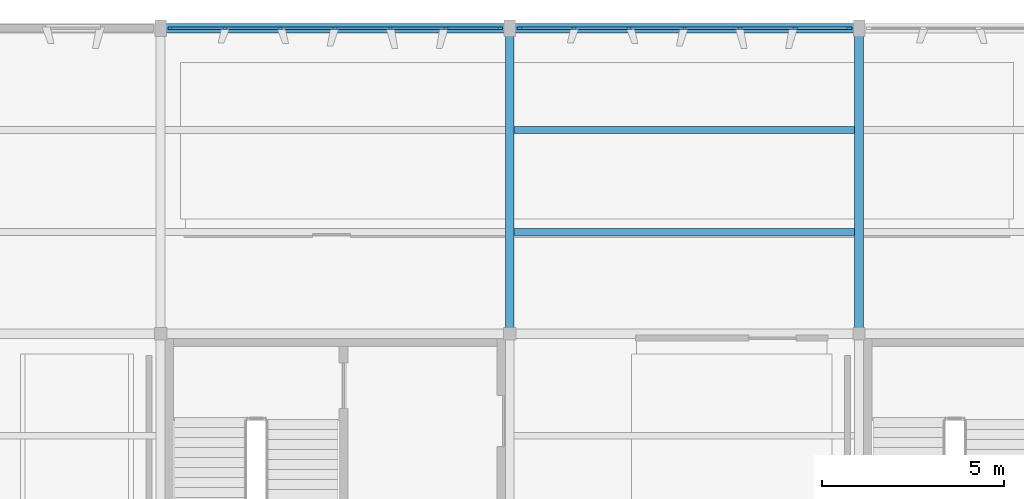
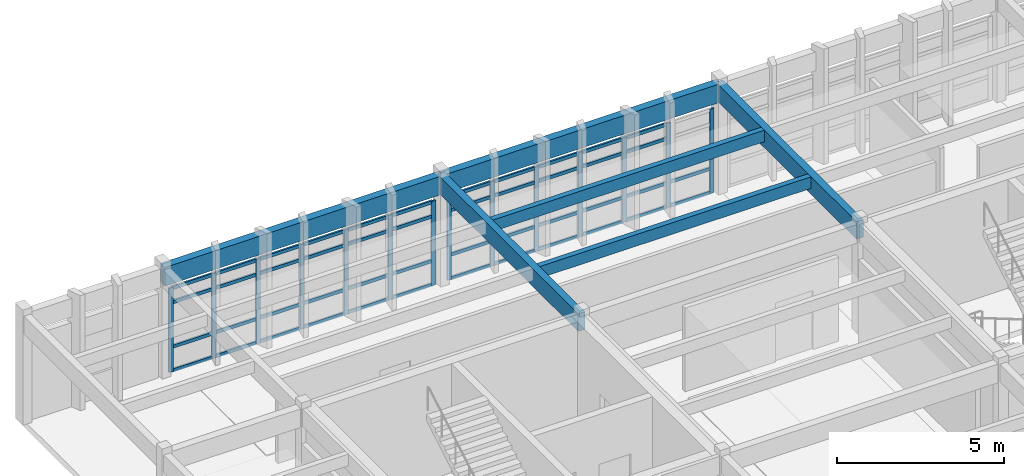
# One storey, part 3 of 14: 60 members, 6 beams, 2 elements without a shape of their own.
"""IFC4 building model written with IfcOpenShell, lengths in metres."""

import ifcopenshell
import ifcopenshell.guid

model = None  # the IFC model being written
_history = None  # IfcOwnerHistory: only IFC2X3 demands one
_inside = {}  # id of a spatial element -> (the spatial element, [elements in it])
_under = {}  # id of a project, library or spatial element -> (it, [spatial elements below it])
_declared = {}  # id of a project -> (the project, [libraries it declares])
_typed = {}  # id of a type object -> (the type object, [elements of that type])
_made_of = {}  # id of a material, layer set ... -> (it, [elements and type objects made of it])


def new_model(schema):
    """Start an empty IFC model of exactly this schema.

    Asked for "IFC4X3", IfcOpenShell would pick the latest addendum, in which some entities
    have other attributes; the version numbers below select the first issue.
    IFC2X3 requires an IfcOwnerHistory on every rooted entity: one is made here for all.
    """
    global model, _history
    if schema == "IFC4X3":
        model = ifcopenshell.file(schema_version=(4, 3, 0, 0))
    else:
        model = ifcopenshell.file(schema=schema)
    _inside.clear()
    _under.clear()
    _declared.clear()
    _typed.clear()
    _made_of.clear()
    _history = None
    if model.schema == "IFC2X3":
        org = make("IfcOrganization", Name="unknown")
        user = make(
            "IfcPersonAndOrganization",
            ThePerson=make("IfcPerson", FamilyName="unknown"),
            TheOrganization=org,
        )
        app = make(
            "IfcApplication",
            ApplicationDeveloper=org,
            Version="unknown",
            ApplicationFullName="unknown",
            ApplicationIdentifier="unknown",
        )
        _history = make(
            "IfcOwnerHistory",
            OwningUser=user,
            OwningApplication=app,
            ChangeAction="ADDED",
            CreationDate=0,
        )
    return model


def make(cls, **values):
    """One entity of the class cls with the attributes given. An attribute that is None is left unset."""
    return model.create_entity(
        cls, **{name: value for name, value in values.items() if value is not None}
    )


def rooted(cls, **values):
    """An entity with a GlobalId (a new one), such as an element, a storey or a relation."""
    return make(cls, GlobalId=ifcopenshell.guid.new(), OwnerHistory=_history, **values)


def si_unit(unit_type, name, prefix=None):
    """IfcSIUnit, for example si_unit("LENGTHUNIT", "METRE", prefix="MILLI")."""
    return make("IfcSIUnit", UnitType=unit_type, Prefix=prefix, Name=name)


def assignment(units):
    """IfcUnitAssignment: the units of a project."""
    return None if units is None else make("IfcUnitAssignment", Units=units)


def point(xyz):
    """IfcCartesianPoint."""
    return None if xyz is None else make("IfcCartesianPoint", Coordinates=xyz)


def direction(xyz):
    """IfcDirection."""
    return None if xyz is None else make("IfcDirection", DirectionRatios=xyz)


def frame(location, z_axis=None, x_axis=None):
    """IfcAxis2Placement3D, a coordinate frame: its origin and axes. An axis left out is left unset."""
    return make(
        "IfcAxis2Placement3D",
        Location=point(location),
        Axis=direction(z_axis),
        RefDirection=direction(x_axis),
    )


def frame_2d(location, x_axis=None):
    """IfcAxis2Placement2D, a coordinate frame in the plane: its origin and x axis."""
    return make(
        "IfcAxis2Placement2D", Location=point(location), RefDirection=direction(x_axis)
    )


def origin():
    """The frame at (0, 0, 0) with its axes left unset."""
    return frame((0.0, 0.0, 0.0))


def origin_2d():
    """The frame at (0, 0) in the plane with its x axis left unset."""
    return frame_2d((0.0, 0.0))


def place(relative_to, where):
    """IfcLocalPlacement: puts the frame where relative to a parent placement (None: the world)."""
    return make(
        "IfcLocalPlacement", PlacementRelTo=relative_to, RelativePlacement=where
    )


def context(
    kind, dimensions, precision=None, world=None, true_north=None, identifier=None
):
    """IfcGeometricRepresentationContext, for example the 3D "Model" context."""
    return make(
        "IfcGeometricRepresentationContext",
        ContextIdentifier=identifier,
        ContextType=kind,
        CoordinateSpaceDimension=dimensions,
        Precision=precision,
        WorldCoordinateSystem=world,
        TrueNorth=true_north,
    )


def subcontext(parent, identifier, kind, view, scale=None):
    """IfcGeometricRepresentationSubContext, for example "Body" below "Model"."""
    return make(
        "IfcGeometricRepresentationSubContext",
        ContextIdentifier=identifier,
        ContextType=kind,
        ParentContext=parent,
        TargetScale=scale,
        TargetView=view,
    )


def project(units=None, contexts=None):
    """IfcProject with its units and contexts."""
    return rooted(
        "IfcProject",
        Name="project",
        RepresentationContexts=contexts,
        UnitsInContext=assignment(units),
    )


def spatial(cls, under=None, at=None, **own):
    """A site, building, storey or space (cls), placed at a placement, below another one or the project."""
    s = rooted(cls, ObjectPlacement=at, **own)
    if under is not None:
        _under.setdefault(under.id(), (under, []))[1].append(s)
    return s


def profile(cls, at=None, kind="AREA", **sizes):
    """A parametric profile (cls). Its sizes go by their IFC names, for example OverallWidth=200.0."""
    return make(cls, ProfileType=kind, Position=at, **sizes)


def rectangle(**sizes):
    """IfcRectangleProfileDef."""
    return profile("IfcRectangleProfileDef", **sizes)


def extrude(swept, where, along, depth):
    """IfcExtrudedAreaSolid: the profile swept, set in the frame where, extruded along a direction by depth."""
    return make(
        "IfcExtrudedAreaSolid",
        SweptArea=swept,
        Position=where,
        ExtrudedDirection=direction(along),
        Depth=depth,
    )


def shape(context_of_items, identifier, shape_type, items):
    """IfcShapeRepresentation: the items that make up one representation, for example the "Body"."""
    return make(
        "IfcShapeRepresentation",
        ContextOfItems=context_of_items,
        RepresentationIdentifier=identifier,
        RepresentationType=shape_type,
        Items=items,
    )


def material(Name=None, Category=None):
    """IfcMaterial."""
    return make("IfcMaterial", Name=Name, Category=Category)


def layer(
    of_material, thickness, ventilated=None, Name=None, Category=None, Priority=None
):
    """IfcMaterialLayer: one layer of a wall or slab, of a material (None: an air gap)."""
    return make(
        "IfcMaterialLayer",
        Material=of_material,
        LayerThickness=thickness,
        IsVentilated=ventilated,
        Name=Name,
        Category=Category,
        Priority=Priority,
    )


def layer_set(layers, Name=None):
    """IfcMaterialLayerSet."""
    return make("IfcMaterialLayerSet", MaterialLayers=layers, LayerSetName=Name)


def material_profile(
    of_material, cross_section, Name=None, Category=None, Priority=None
):
    """IfcMaterialProfile: a cross section and its material."""
    return make(
        "IfcMaterialProfile",
        Name=Name,
        Material=of_material,
        Profile=cross_section,
        Priority=Priority,
        Category=Category,
    )


def profile_set(profiles, Name=None, composite=None):
    """IfcMaterialProfileSet."""
    return make(
        "IfcMaterialProfileSet",
        Name=Name,
        MaterialProfiles=profiles,
        CompositeProfile=composite,
    )


def made_of(thing, what):
    """Note that an element or type object is made of a material, layer set ...; save() writes the relation."""
    if what is not None:
        _made_of.setdefault(what.id(), (what, []))[1].append(thing)
    return thing


def type_object(cls, material=None, **own):
    """A type object (cls), such as IfcWallType, which elements share."""
    return made_of(rooted(cls, **own), material)


def element(
    cls,
    number,
    at=None,
    inside=None,
    cuts=None,
    type_object=None,
    material=None,
    context=None,
    identifier="Body",
    shape_type=None,
    held_by="IfcProductDefinitionShape",
    body=None,
    shapes=None,
    **own,
):
    """One element of the class cls, such as IfcWall. Its Tag is "e" and its number.

    at: its placement. inside: the storey or other place that contains it. cuts: it is an
    opening in that element (IfcRelVoidsElement). A single representation is given by context,
    identifier, shape_type and body (its items); several are given by shapes. held_by: the class
    of the entity that holds the representations. save() writes the other relations.
    """
    e = rooted(cls, Tag="e%d" % number, ObjectPlacement=at, **own)
    if body is not None:
        shapes = [shape(context, identifier, shape_type, body)]
    if shapes is not None:
        e.Representation = make(held_by, Representations=shapes)
    if inside is not None:
        _inside.setdefault(inside.id(), (inside, []))[1].append(e)
    if cuts is not None:
        rooted(
            "IfcRelVoidsElement", RelatingBuildingElement=cuts, RelatedOpeningElement=e
        )
    if type_object is not None:
        _typed.setdefault(type_object.id(), (type_object, []))[1].append(e)
    return made_of(e, material)


def aggregate(whole, parts):
    """IfcRelAggregates: a whole, such as a stair, and the parts it consists of."""
    return rooted("IfcRelAggregates", RelatingObject=whole, RelatedObjects=parts)


def save(model, path):
    """Write the relations noted so far, then the file.

    IfcRelAggregates (storeys below a building ...), IfcRelContainedInSpatialStructure (elements
    in a storey), IfcRelDefinesByType, IfcRelAssociatesMaterial and IfcRelDeclares: one each for
    every whole, place, type object, material and project.
    """
    for whole, parts in _under.values():
        aggregate(whole, parts)
    for where, things in _inside.values():
        rooted(
            "IfcRelContainedInSpatialStructure",
            RelatedElements=things,
            RelatingStructure=where,
        )
    for kind, things in _typed.values():
        rooted("IfcRelDefinesByType", RelatedObjects=things, RelatingType=kind)
    for what, things in _made_of.values():
        rooted("IfcRelAssociatesMaterial", RelatedObjects=things, RelatingMaterial=what)
    for by, libraries in _declared.values():
        rooted("IfcRelDeclares", RelatingContext=by, RelatedDefinitions=libraries)
    model.write(path)


model = new_model("IFC4")

# Units and contexts
model_context = context("Model", 3, precision=1e-05, world=origin(), true_north=direction((0.0, 1.0)))
body_context = subcontext(model_context, "Body", "Model", "MODEL_VIEW")
ifc_project = project(units=[si_unit("LENGTHUNIT", "METRE"), si_unit("AREAUNIT", "SQUARE_METRE"), si_unit("VOLUMEUNIT", "CUBIC_METRE"), si_unit("PLANEANGLEUNIT", "RADIAN"), si_unit("MASSUNIT", "GRAM", prefix="KILO")], contexts=[model_context])

# Site, building, storey
site_placement = place(None, origin())
site = spatial("IfcSite", under=ifc_project, at=site_placement, CompositionType="ELEMENT")
building_placement = place(site_placement, origin())
building = spatial("IfcBuilding", under=site, at=building_placement, Name="Kolvemor Railside Polytechnic", CompositionType="ELEMENT")
storey_placement = place(building_placement, frame((0.0, 0.0, 22.800048828125)))
storey = spatial("IfcBuildingStorey", under=building, at=storey_placement, Name="L05", CompositionType="ELEMENT", Elevation=22.800048828125)

# Beams
ifc_material_1 = material(Name="Glulam GL28h", Category="wood")
ifc_material_profile_1 = material_profile(ifc_material_1, rectangle(XDim=0.264892578125, YDim=0.679931640625, at=origin_2d()), Name="GL265x680")
ifc_profile_set_1 = profile_set([ifc_material_profile_1], Name="Glulam GL28h")
beam_type_1 = type_object("IfcBeamType", Name="BM-GL-GIRD2", PredefinedType="BEAM", material=ifc_profile_set_1)
beam_1_placement = place(storey_placement, frame((67.199951171875, 38.39990234375, 3.6298828125), z_axis=(1.0, 0.0, 0.0), x_axis=(0.0, 1.0, 0.0)))
element("IfcBeam", 1, at=beam_1_placement, inside=storey, type_object=beam_type_1, Name="Primary Girder L06-GX 1653", PredefinedType="BEAM", context=body_context, shape_type="SweptSolid", body=[
    extrude(rectangle(XDim=0.264892578125, YDim=0.679931640625, at=origin_2d()), origin(), (0.0, 0.0, 1.0), 9.60009765625),
])
beam_2_placement = place(storey_placement, frame((76.800048828125, 38.39990234375, 3.6298828125), z_axis=(1.0, 0.0, 0.0), x_axis=(0.0, 1.0, 0.0)))
element("IfcBeam", 2, at=beam_2_placement, inside=storey, type_object=beam_type_1, Name="Primary Girder L06-GX 1654", PredefinedType="BEAM", context=body_context, shape_type="SweptSolid", body=[
    extrude(rectangle(XDim=0.264892578125, YDim=0.679931640625, at=origin_2d()), origin(), (0.0, 0.0, 1.0), 9.599853515625),
])
ifc_material_2 = material(Name="Glulam GL28h", Category="wood")
ifc_material_profile_2 = material_profile(ifc_material_2, rectangle(XDim=0.239990234375, YDim=0.639892578125, at=origin_2d()), Name="GL240x640")
ifc_profile_set_2 = profile_set([ifc_material_profile_2], Name="Glulam GL28h")
beam_type_2 = type_object("IfcBeamType", Name="BM-GL-GIRD5", PredefinedType="BEAM", material=ifc_profile_set_2)
for number, where, z_axis, x_axis, name in (
    (3, (76.800048828125, 30.0, 3.64990234375), (0.0, 1.0, 0.0), (-1.0, 0.0, 0.0), "Primary Girder L06-GY 1667"),
    (4, (86.39990234375, 30.0, 3.64990234375), (0.0, 1.0, 0.0), (-1.0, 0.0, 0.0), "Primary Girder L06-GY 1670"),
):
    element("IfcBeam", number, at=place(storey_placement, frame(where, z_axis=z_axis, x_axis=x_axis)), inside=storey, type_object=beam_type_2, Name=name, PredefinedType="BEAM", context=body_context, shape_type="SweptSolid", body=[
        extrude(rectangle(XDim=0.239990234375, YDim=0.639892578125, at=origin_2d()), origin(), (0.0, 0.0, 1.0), 8.39990234375),
    ])
ifc_material_3 = material(Name="Glulam GL28h", Category="wood")
ifc_material_profile_3 = material_profile(ifc_material_3, rectangle(XDim=0.18505859375, YDim=0.419921875, at=origin_2d()), Name="GL185x420")
ifc_profile_set_3 = profile_set([ifc_material_profile_3], Name="Glulam GL28h")
beam_type_3 = type_object("IfcBeamType", Name="BM-GL-JST4", PredefinedType="JOIST", material=ifc_profile_set_3)
for number, where, z_axis, x_axis, name in (
    (5, (76.919921875, 32.800048828125, 3.760009765625), (1.0, 0.0, 0.0), (0.0, 1.0, 0.0), "Floor Joist L06-J1697"),
    (6, (76.919921875, 35.60009765625, 3.760009765625), (1.0, 0.0, 0.0), (0.0, 1.0, 0.0), "Floor Joist L06-J1698"),
):
    element("IfcBeam", number, at=place(storey_placement, frame(where, z_axis=z_axis, x_axis=x_axis)), inside=storey, type_object=beam_type_3, Name=name, PredefinedType="JOIST", context=body_context, shape_type="SweptSolid", body=[
        extrude(rectangle(XDim=0.18505859375, YDim=0.419921875, at=origin_2d()), origin(), (0.0, 0.0, 1.0), 9.360107421875),
    ])

# Curtain wall, members
ifc_material_4 = material(Name="Anodised marine aluminium and laminated low-E glass", Category="aluminium")
ifc_layer = layer(ifc_material_4, 0.179931640625, Name="CW-UNIT-STD")
ifc_layer_set = layer_set([ifc_layer], Name="Anodised marine aluminium and laminated low-E glass")
curtain_wall_type = type_object("IfcCurtainWallType", Name="CW-UNIT-STD", PredefinedType="USERDEFINED", material=ifc_layer_set)
curtain_wall_1_placement = place(storey_placement, origin())
curtain_wall_1 = element("IfcCurtainWall", 7, at=curtain_wall_1_placement, inside=storey, type_object=curtain_wall_type, Name="Curtain Wall L05-136", ObjectType="UNITISED CURTAIN WALL", PredefinedType="USERDEFINED")
ifc_material_5 = material(Name="Anodised marine aluminium 6063-T6", Category="aluminium")
ifc_material_profile_4 = material_profile(ifc_material_5, rectangle(XDim=0.06494140625, YDim=0.14990234375, at=origin_2d()), Name="CW-MUL-65x150")
ifc_profile_set_4 = profile_set([ifc_material_profile_4], Name="Anodised marine aluminium 6063-T6")
member_type_1 = type_object("IfcMemberType", Name="CWM-65x150", PredefinedType="MULLION", material=ifc_profile_set_4)
member_1_placement = place(storey_placement, frame((76.527587890625, 38.39990234375, 0.0), z_axis=(0.0, 0.0, 1.0), x_axis=(0.0, -1.0, 0.0)))
member_1 = element("IfcMember", 8, at=member_1_placement, type_object=member_type_1, Name="CW-STD mullion 1", PredefinedType="MULLION", context=body_context, shape_type="SweptSolid", body=[
    extrude(rectangle(XDim=0.06494140625, YDim=0.14990234375, at=origin_2d()), origin(), (0.0, 0.0, 1.0), 3.070068359375),
])
member_2_placement = place(storey_placement, frame((75.0400390625, 38.39990234375, 0.0), z_axis=(0.0, 0.0, 1.0), x_axis=(0.0, -1.0, 0.0)))
member_2 = element("IfcMember", 9, at=member_2_placement, type_object=member_type_1, Name="CW-STD mullion 2", PredefinedType="MULLION", context=body_context, shape_type="SweptSolid", body=[
    extrude(rectangle(XDim=0.06494140625, YDim=0.14990234375, at=origin_2d()), origin(), (0.0, 0.0, 1.0), 3.070068359375),
])
member_3_placement = place(storey_placement, frame((73.52001953125, 38.39990234375, 0.0), z_axis=(0.0, 0.0, 1.0), x_axis=(0.0, -1.0, 0.0)))
member_3 = element("IfcMember", 10, at=member_3_placement, type_object=member_type_1, Name="CW-STD mullion 3", PredefinedType="MULLION", context=body_context, shape_type="SweptSolid", body=[
    extrude(rectangle(XDim=0.06494140625, YDim=0.14990234375, at=origin_2d()), origin(), (0.0, 0.0, 1.0), 3.070068359375),
])
member_4_placement = place(storey_placement, frame((72.0, 38.39990234375, 0.0), z_axis=(0.0, 0.0, 1.0), x_axis=(0.0, -1.0, 0.0)))
member_4 = element("IfcMember", 11, at=member_4_placement, type_object=member_type_1, Name="CW-STD mullion 4", PredefinedType="MULLION", context=body_context, shape_type="SweptSolid", body=[
    extrude(rectangle(XDim=0.06494140625, YDim=0.14990234375, at=origin_2d()), origin(), (0.0, 0.0, 1.0), 3.070068359375),
])
member_5_placement = place(storey_placement, frame((70.47998046875, 38.39990234375, 0.0), z_axis=(0.0, 0.0, 1.0), x_axis=(0.0, -1.0, 0.0)))
member_5 = element("IfcMember", 12, at=member_5_placement, type_object=member_type_1, Name="CW-STD mullion 5", PredefinedType="MULLION", context=body_context, shape_type="SweptSolid", body=[
    extrude(rectangle(XDim=0.06494140625, YDim=0.14990234375, at=origin_2d()), origin(), (0.0, 0.0, 1.0), 3.070068359375),
])
member_6_placement = place(storey_placement, frame((68.9599609375, 38.39990234375, 0.0), z_axis=(0.0, 0.0, 1.0), x_axis=(0.0, -1.0, 0.0)))
member_6 = element("IfcMember", 13, at=member_6_placement, type_object=member_type_1, Name="CW-STD mullion 6", PredefinedType="MULLION", context=body_context, shape_type="SweptSolid", body=[
    extrude(rectangle(XDim=0.06494140625, YDim=0.14990234375, at=origin_2d()), origin(), (0.0, 0.0, 1.0), 3.070068359375),
])
member_7_placement = place(storey_placement, frame((67.472412109375, 38.39990234375, 0.0), z_axis=(0.0, 0.0, 1.0), x_axis=(0.0, -1.0, 0.0)))
member_7 = element("IfcMember", 14, at=member_7_placement, type_object=member_type_1, Name="CW-STD mullion 7", PredefinedType="MULLION", context=body_context, shape_type="SweptSolid", body=[
    extrude(rectangle(XDim=0.06494140625, YDim=0.14990234375, at=origin_2d()), origin(), (0.0, 0.0, 1.0), 3.070068359375),
])

curtain_wall_2_placement = place(storey_placement, origin())
curtain_wall_2 = element("IfcCurtainWall", 15, at=curtain_wall_2_placement, inside=storey, type_object=curtain_wall_type, Name="Curtain Wall L05-137", ObjectType="UNITISED CURTAIN WALL", PredefinedType="USERDEFINED")
member_8_placement = place(storey_placement, frame((86.12744140625, 38.39990234375, 0.0), z_axis=(0.0, 0.0, 1.0), x_axis=(0.0, -1.0, 0.0)))
member_8 = element("IfcMember", 16, at=member_8_placement, type_object=member_type_1, Name="CW-STD mullion 1", PredefinedType="MULLION", context=body_context, shape_type="SweptSolid", body=[
    extrude(rectangle(XDim=0.06494140625, YDim=0.14990234375, at=origin_2d()), origin(), (0.0, 0.0, 1.0), 3.070068359375),
])
member_9_placement = place(storey_placement, frame((84.639892578125, 38.39990234375, 0.0), z_axis=(0.0, 0.0, 1.0), x_axis=(0.0, -1.0, 0.0)))
member_9 = element("IfcMember", 17, at=member_9_placement, type_object=member_type_1, Name="CW-STD mullion 2", PredefinedType="MULLION", context=body_context, shape_type="SweptSolid", body=[
    extrude(rectangle(XDim=0.06494140625, YDim=0.14990234375, at=origin_2d()), origin(), (0.0, 0.0, 1.0), 3.070068359375),
])
member_10_placement = place(storey_placement, frame((83.1201171875, 38.39990234375, 0.0), z_axis=(0.0, 0.0, 1.0), x_axis=(0.0, -1.0, 0.0)))
member_10 = element("IfcMember", 18, at=member_10_placement, type_object=member_type_1, Name="CW-STD mullion 3", PredefinedType="MULLION", context=body_context, shape_type="SweptSolid", body=[
    extrude(rectangle(XDim=0.06494140625, YDim=0.14990234375, at=origin_2d()), origin(), (0.0, 0.0, 1.0), 3.070068359375),
])
member_11_placement = place(storey_placement, frame((81.60009765625, 38.39990234375, 0.0), z_axis=(0.0, 0.0, 1.0), x_axis=(0.0, -1.0, 0.0)))
member_11 = element("IfcMember", 19, at=member_11_placement, type_object=member_type_1, Name="CW-STD mullion 4", PredefinedType="MULLION", context=body_context, shape_type="SweptSolid", body=[
    extrude(rectangle(XDim=0.06494140625, YDim=0.14990234375, at=origin_2d()), origin(), (0.0, 0.0, 1.0), 3.070068359375),
])
member_12_placement = place(storey_placement, frame((80.080078125, 38.39990234375, 0.0), z_axis=(0.0, 0.0, 1.0), x_axis=(0.0, -1.0, 0.0)))
member_12 = element("IfcMember", 20, at=member_12_placement, type_object=member_type_1, Name="CW-STD mullion 5", PredefinedType="MULLION", context=body_context, shape_type="SweptSolid", body=[
    extrude(rectangle(XDim=0.06494140625, YDim=0.14990234375, at=origin_2d()), origin(), (0.0, 0.0, 1.0), 3.070068359375),
])
member_13_placement = place(storey_placement, frame((78.56005859375, 38.39990234375, 0.0), z_axis=(0.0, 0.0, 1.0), x_axis=(0.0, -1.0, 0.0)))
member_13 = element("IfcMember", 21, at=member_13_placement, type_object=member_type_1, Name="CW-STD mullion 6", PredefinedType="MULLION", context=body_context, shape_type="SweptSolid", body=[
    extrude(rectangle(XDim=0.06494140625, YDim=0.14990234375, at=origin_2d()), origin(), (0.0, 0.0, 1.0), 3.070068359375),
])
member_14_placement = place(storey_placement, frame((77.072509765625, 38.39990234375, 0.0), z_axis=(0.0, 0.0, 1.0), x_axis=(0.0, -1.0, 0.0)))
member_14 = element("IfcMember", 22, at=member_14_placement, type_object=member_type_1, Name="CW-STD mullion 7", PredefinedType="MULLION", context=body_context, shape_type="SweptSolid", body=[
    extrude(rectangle(XDim=0.06494140625, YDim=0.14990234375, at=origin_2d()), origin(), (0.0, 0.0, 1.0), 3.070068359375),
])

# Member
ifc_material_6 = material(Name="Anodised marine aluminium 6063-T6", Category="aluminium")
ifc_material_profile_5 = material_profile(ifc_material_6, rectangle(XDim=0.06494140625, YDim=0.1201171875, at=origin_2d()), Name="CW-TRN-65x120")
ifc_profile_set_5 = profile_set([ifc_material_profile_5], Name="Anodised marine aluminium 6063-T6")
member_type_2 = type_object("IfcMemberType", Name="CWT-65x120", PredefinedType="USERDEFINED", material=ifc_profile_set_5)
member_15_placement = place(storey_placement, frame((76.4951171875, 38.39990234375, 0.032470703125), z_axis=(-1.0, 0.0, 0.0), x_axis=(0.0, -1.0, 0.0)))
member_15 = element("IfcMember", 23, at=member_15_placement, type_object=member_type_2, Name="CW-STD transom 1.1", ObjectType="TRANSOM", PredefinedType="USERDEFINED", context=body_context, shape_type="SweptSolid", body=[
    extrude(rectangle(XDim=0.06494140625, YDim=0.1201171875, at=origin_2d()), origin(), (0.0, 0.0, 1.0), 1.422607421875),
])

member_16_placement = place(storey_placement, frame((76.4951171875, 38.39990234375, 0.89990234375), z_axis=(-1.0, 0.0, 0.0), x_axis=(0.0, -1.0, 0.0)))
member_16 = element("IfcMember", 24, at=member_16_placement, type_object=member_type_2, Name="CW-STD transom 1.2", ObjectType="TRANSOM", PredefinedType="USERDEFINED", context=body_context, shape_type="SweptSolid", body=[
    extrude(rectangle(XDim=0.06494140625, YDim=0.1201171875, at=origin_2d()), origin(), (0.0, 0.0, 1.0), 1.422607421875),
])

member_17_placement = place(storey_placement, frame((76.4951171875, 38.39990234375, 2.52001953125), z_axis=(-1.0, 0.0, 0.0), x_axis=(0.0, -1.0, 0.0)))
member_17 = element("IfcMember", 25, at=member_17_placement, type_object=member_type_2, Name="CW-STD transom 1.3", ObjectType="TRANSOM", PredefinedType="USERDEFINED", context=body_context, shape_type="SweptSolid", body=[
    extrude(rectangle(XDim=0.06494140625, YDim=0.1201171875, at=origin_2d()), origin(), (0.0, 0.0, 1.0), 1.422607421875),
])

member_18_placement = place(storey_placement, frame((76.4951171875, 38.39990234375, 3.037353515625), z_axis=(-1.0, 0.0, 0.0), x_axis=(0.0, -1.0, 0.0)))
member_18 = element("IfcMember", 26, at=member_18_placement, type_object=member_type_2, Name="CW-STD transom 1.4", ObjectType="TRANSOM", PredefinedType="USERDEFINED", context=body_context, shape_type="SweptSolid", body=[
    extrude(rectangle(XDim=0.06494140625, YDim=0.1201171875, at=origin_2d()), origin(), (0.0, 0.0, 1.0), 1.422607421875),
])

member_19_placement = place(storey_placement, frame((75.007568359375, 38.39990234375, 0.032470703125), z_axis=(-1.0, 0.0, 0.0), x_axis=(0.0, -1.0, 0.0)))
member_19 = element("IfcMember", 27, at=member_19_placement, type_object=member_type_2, Name="CW-STD transom 2.1", ObjectType="TRANSOM", PredefinedType="USERDEFINED", context=body_context, shape_type="SweptSolid", body=[
    extrude(rectangle(XDim=0.06494140625, YDim=0.1201171875, at=origin_2d()), origin(), (0.0, 0.0, 1.0), 1.455078125),
])

member_20_placement = place(storey_placement, frame((75.007568359375, 38.39990234375, 0.89990234375), z_axis=(-1.0, 0.0, 0.0), x_axis=(0.0, -1.0, 0.0)))
member_20 = element("IfcMember", 28, at=member_20_placement, type_object=member_type_2, Name="CW-STD transom 2.2", ObjectType="TRANSOM", PredefinedType="USERDEFINED", context=body_context, shape_type="SweptSolid", body=[
    extrude(rectangle(XDim=0.06494140625, YDim=0.1201171875, at=origin_2d()), origin(), (0.0, 0.0, 1.0), 1.455078125),
])

member_21_placement = place(storey_placement, frame((75.007568359375, 38.39990234375, 2.52001953125), z_axis=(-1.0, 0.0, 0.0), x_axis=(0.0, -1.0, 0.0)))
member_21 = element("IfcMember", 29, at=member_21_placement, type_object=member_type_2, Name="CW-STD transom 2.3", ObjectType="TRANSOM", PredefinedType="USERDEFINED", context=body_context, shape_type="SweptSolid", body=[
    extrude(rectangle(XDim=0.06494140625, YDim=0.1201171875, at=origin_2d()), origin(), (0.0, 0.0, 1.0), 1.455078125),
])

member_22_placement = place(storey_placement, frame((75.007568359375, 38.39990234375, 3.037353515625), z_axis=(-1.0, 0.0, 0.0), x_axis=(0.0, -1.0, 0.0)))
member_22 = element("IfcMember", 30, at=member_22_placement, type_object=member_type_2, Name="CW-STD transom 2.4", ObjectType="TRANSOM", PredefinedType="USERDEFINED", context=body_context, shape_type="SweptSolid", body=[
    extrude(rectangle(XDim=0.06494140625, YDim=0.1201171875, at=origin_2d()), origin(), (0.0, 0.0, 1.0), 1.455078125),
])

member_23_placement = place(storey_placement, frame((73.487548828125, 38.39990234375, 0.032470703125), z_axis=(-1.0, 0.0, 0.0), x_axis=(0.0, -1.0, 0.0)))
member_23 = element("IfcMember", 31, at=member_23_placement, type_object=member_type_2, Name="CW-STD transom 3.1", ObjectType="TRANSOM", PredefinedType="USERDEFINED", context=body_context, shape_type="SweptSolid", body=[
    extrude(rectangle(XDim=0.06494140625, YDim=0.1201171875, at=origin_2d()), origin(), (0.0, 0.0, 1.0), 1.455078125),
])

member_24_placement = place(storey_placement, frame((73.487548828125, 38.39990234375, 0.89990234375), z_axis=(-1.0, 0.0, 0.0), x_axis=(0.0, -1.0, 0.0)))
member_24 = element("IfcMember", 32, at=member_24_placement, type_object=member_type_2, Name="CW-STD transom 3.2", ObjectType="TRANSOM", PredefinedType="USERDEFINED", context=body_context, shape_type="SweptSolid", body=[
    extrude(rectangle(XDim=0.06494140625, YDim=0.1201171875, at=origin_2d()), origin(), (0.0, 0.0, 1.0), 1.455078125),
])

member_25_placement = place(storey_placement, frame((73.487548828125, 38.39990234375, 2.52001953125), z_axis=(-1.0, 0.0, 0.0), x_axis=(0.0, -1.0, 0.0)))
member_25 = element("IfcMember", 33, at=member_25_placement, type_object=member_type_2, Name="CW-STD transom 3.3", ObjectType="TRANSOM", PredefinedType="USERDEFINED", context=body_context, shape_type="SweptSolid", body=[
    extrude(rectangle(XDim=0.06494140625, YDim=0.1201171875, at=origin_2d()), origin(), (0.0, 0.0, 1.0), 1.455078125),
])

member_26_placement = place(storey_placement, frame((73.487548828125, 38.39990234375, 3.037353515625), z_axis=(-1.0, 0.0, 0.0), x_axis=(0.0, -1.0, 0.0)))
member_26 = element("IfcMember", 34, at=member_26_placement, type_object=member_type_2, Name="CW-STD transom 3.4", ObjectType="TRANSOM", PredefinedType="USERDEFINED", context=body_context, shape_type="SweptSolid", body=[
    extrude(rectangle(XDim=0.06494140625, YDim=0.1201171875, at=origin_2d()), origin(), (0.0, 0.0, 1.0), 1.455078125),
])

member_27_placement = place(storey_placement, frame((71.967529296875, 38.39990234375, 0.032470703125), z_axis=(-1.0, 0.0, 0.0), x_axis=(0.0, -1.0, 0.0)))
member_27 = element("IfcMember", 35, at=member_27_placement, type_object=member_type_2, Name="CW-STD transom 4.1", ObjectType="TRANSOM", PredefinedType="USERDEFINED", context=body_context, shape_type="SweptSolid", body=[
    extrude(rectangle(XDim=0.06494140625, YDim=0.1201171875, at=origin_2d()), origin(), (0.0, 0.0, 1.0), 1.455078125),
])

member_28_placement = place(storey_placement, frame((71.967529296875, 38.39990234375, 0.89990234375), z_axis=(-1.0, 0.0, 0.0), x_axis=(0.0, -1.0, 0.0)))
member_28 = element("IfcMember", 36, at=member_28_placement, type_object=member_type_2, Name="CW-STD transom 4.2", ObjectType="TRANSOM", PredefinedType="USERDEFINED", context=body_context, shape_type="SweptSolid", body=[
    extrude(rectangle(XDim=0.06494140625, YDim=0.1201171875, at=origin_2d()), origin(), (0.0, 0.0, 1.0), 1.455078125),
])

member_29_placement = place(storey_placement, frame((71.967529296875, 38.39990234375, 2.52001953125), z_axis=(-1.0, 0.0, 0.0), x_axis=(0.0, -1.0, 0.0)))
member_29 = element("IfcMember", 37, at=member_29_placement, type_object=member_type_2, Name="CW-STD transom 4.3", ObjectType="TRANSOM", PredefinedType="USERDEFINED", context=body_context, shape_type="SweptSolid", body=[
    extrude(rectangle(XDim=0.06494140625, YDim=0.1201171875, at=origin_2d()), origin(), (0.0, 0.0, 1.0), 1.455078125),
])

member_30_placement = place(storey_placement, frame((71.967529296875, 38.39990234375, 3.037353515625), z_axis=(-1.0, 0.0, 0.0), x_axis=(0.0, -1.0, 0.0)))
member_30 = element("IfcMember", 38, at=member_30_placement, type_object=member_type_2, Name="CW-STD transom 4.4", ObjectType="TRANSOM", PredefinedType="USERDEFINED", context=body_context, shape_type="SweptSolid", body=[
    extrude(rectangle(XDim=0.06494140625, YDim=0.1201171875, at=origin_2d()), origin(), (0.0, 0.0, 1.0), 1.455078125),
])

member_31_placement = place(storey_placement, frame((70.447509765625, 38.39990234375, 0.032470703125), z_axis=(-1.0, 0.0, 0.0), x_axis=(0.0, -1.0, 0.0)))
member_31 = element("IfcMember", 39, at=member_31_placement, type_object=member_type_2, Name="CW-STD transom 5.1", ObjectType="TRANSOM", PredefinedType="USERDEFINED", context=body_context, shape_type="SweptSolid", body=[
    extrude(rectangle(XDim=0.06494140625, YDim=0.1201171875, at=origin_2d()), origin(), (0.0, 0.0, 1.0), 1.455078125),
])

member_32_placement = place(storey_placement, frame((70.447509765625, 38.39990234375, 0.89990234375), z_axis=(-1.0, 0.0, 0.0), x_axis=(0.0, -1.0, 0.0)))
member_32 = element("IfcMember", 40, at=member_32_placement, type_object=member_type_2, Name="CW-STD transom 5.2", ObjectType="TRANSOM", PredefinedType="USERDEFINED", context=body_context, shape_type="SweptSolid", body=[
    extrude(rectangle(XDim=0.06494140625, YDim=0.1201171875, at=origin_2d()), origin(), (0.0, 0.0, 1.0), 1.455078125),
])

member_33_placement = place(storey_placement, frame((70.447509765625, 38.39990234375, 2.52001953125), z_axis=(-1.0, 0.0, 0.0), x_axis=(0.0, -1.0, 0.0)))
member_33 = element("IfcMember", 41, at=member_33_placement, type_object=member_type_2, Name="CW-STD transom 5.3", ObjectType="TRANSOM", PredefinedType="USERDEFINED", context=body_context, shape_type="SweptSolid", body=[
    extrude(rectangle(XDim=0.06494140625, YDim=0.1201171875, at=origin_2d()), origin(), (0.0, 0.0, 1.0), 1.455078125),
])

member_34_placement = place(storey_placement, frame((70.447509765625, 38.39990234375, 3.037353515625), z_axis=(-1.0, 0.0, 0.0), x_axis=(0.0, -1.0, 0.0)))
member_34 = element("IfcMember", 42, at=member_34_placement, type_object=member_type_2, Name="CW-STD transom 5.4", ObjectType="TRANSOM", PredefinedType="USERDEFINED", context=body_context, shape_type="SweptSolid", body=[
    extrude(rectangle(XDim=0.06494140625, YDim=0.1201171875, at=origin_2d()), origin(), (0.0, 0.0, 1.0), 1.455078125),
])

member_35_placement = place(storey_placement, frame((68.927490234375, 38.39990234375, 0.032470703125), z_axis=(-1.0, 0.0, 0.0), x_axis=(0.0, -1.0, 0.0)))
member_35 = element("IfcMember", 43, at=member_35_placement, type_object=member_type_2, Name="CW-STD transom 6.1", ObjectType="TRANSOM", PredefinedType="USERDEFINED", context=body_context, shape_type="SweptSolid", body=[
    extrude(rectangle(XDim=0.06494140625, YDim=0.1201171875, at=origin_2d()), origin(), (0.0, 0.0, 1.0), 1.422607421875),
])

member_36_placement = place(storey_placement, frame((68.927490234375, 38.39990234375, 0.89990234375), z_axis=(-1.0, 0.0, 0.0), x_axis=(0.0, -1.0, 0.0)))
member_36 = element("IfcMember", 44, at=member_36_placement, type_object=member_type_2, Name="CW-STD transom 6.2", ObjectType="TRANSOM", PredefinedType="USERDEFINED", context=body_context, shape_type="SweptSolid", body=[
    extrude(rectangle(XDim=0.06494140625, YDim=0.1201171875, at=origin_2d()), origin(), (0.0, 0.0, 1.0), 1.422607421875),
])

member_37_placement = place(storey_placement, frame((68.927490234375, 38.39990234375, 2.52001953125), z_axis=(-1.0, 0.0, 0.0), x_axis=(0.0, -1.0, 0.0)))
member_37 = element("IfcMember", 45, at=member_37_placement, type_object=member_type_2, Name="CW-STD transom 6.3", ObjectType="TRANSOM", PredefinedType="USERDEFINED", context=body_context, shape_type="SweptSolid", body=[
    extrude(rectangle(XDim=0.06494140625, YDim=0.1201171875, at=origin_2d()), origin(), (0.0, 0.0, 1.0), 1.422607421875),
])

member_38_placement = place(storey_placement, frame((68.927490234375, 38.39990234375, 3.037353515625), z_axis=(-1.0, 0.0, 0.0), x_axis=(0.0, -1.0, 0.0)))
member_38 = element("IfcMember", 46, at=member_38_placement, type_object=member_type_2, Name="CW-STD transom 6.4", ObjectType="TRANSOM", PredefinedType="USERDEFINED", context=body_context, shape_type="SweptSolid", body=[
    extrude(rectangle(XDim=0.06494140625, YDim=0.1201171875, at=origin_2d()), origin(), (0.0, 0.0, 1.0), 1.422607421875),
])

aggregate(curtain_wall_1, [member_1, member_2, member_3, member_4, member_5, member_6, member_7, member_15, member_16, member_17, member_18, member_19, member_20, member_21, member_22, member_23, member_24, member_25, member_26, member_27, member_28, member_29, member_30, member_31, member_32, member_33, member_34, member_35, member_36, member_37, member_38])

member_39_placement = place(storey_placement, frame((86.094970703125, 38.39990234375, 0.032470703125), z_axis=(-1.0, 0.0, 0.0), x_axis=(0.0, -1.0, 0.0)))
member_39 = element("IfcMember", 47, at=member_39_placement, type_object=member_type_2, Name="CW-STD transom 1.1", ObjectType="TRANSOM", PredefinedType="USERDEFINED", context=body_context, shape_type="SweptSolid", body=[
    extrude(rectangle(XDim=0.06494140625, YDim=0.1201171875, at=origin_2d()), origin(), (0.0, 0.0, 1.0), 1.42236328125),
])

member_40_placement = place(storey_placement, frame((86.094970703125, 38.39990234375, 0.89990234375), z_axis=(-1.0, 0.0, 0.0), x_axis=(0.0, -1.0, 0.0)))
member_40 = element("IfcMember", 48, at=member_40_placement, type_object=member_type_2, Name="CW-STD transom 1.2", ObjectType="TRANSOM", PredefinedType="USERDEFINED", context=body_context, shape_type="SweptSolid", body=[
    extrude(rectangle(XDim=0.06494140625, YDim=0.1201171875, at=origin_2d()), origin(), (0.0, 0.0, 1.0), 1.42236328125),
])

member_41_placement = place(storey_placement, frame((84.607421875, 38.39990234375, 0.032470703125), z_axis=(-1.0, 0.0, 0.0), x_axis=(0.0, -1.0, 0.0)))
member_41 = element("IfcMember", 49, at=member_41_placement, type_object=member_type_2, Name="CW-STD transom 2.1", ObjectType="TRANSOM", PredefinedType="USERDEFINED", context=body_context, shape_type="SweptSolid", body=[
    extrude(rectangle(XDim=0.06494140625, YDim=0.1201171875, at=origin_2d()), origin(), (0.0, 0.0, 1.0), 1.454833984375),
])

member_42_placement = place(storey_placement, frame((84.607421875, 38.39990234375, 0.89990234375), z_axis=(-1.0, 0.0, 0.0), x_axis=(0.0, -1.0, 0.0)))
member_42 = element("IfcMember", 50, at=member_42_placement, type_object=member_type_2, Name="CW-STD transom 2.2", ObjectType="TRANSOM", PredefinedType="USERDEFINED", context=body_context, shape_type="SweptSolid", body=[
    extrude(rectangle(XDim=0.06494140625, YDim=0.1201171875, at=origin_2d()), origin(), (0.0, 0.0, 1.0), 1.454833984375),
])

member_43_placement = place(storey_placement, frame((84.607421875, 38.39990234375, 2.52001953125), z_axis=(-1.0, 0.0, 0.0), x_axis=(0.0, -1.0, 0.0)))
member_43 = element("IfcMember", 51, at=member_43_placement, type_object=member_type_2, Name="CW-STD transom 2.3", ObjectType="TRANSOM", PredefinedType="USERDEFINED", context=body_context, shape_type="SweptSolid", body=[
    extrude(rectangle(XDim=0.06494140625, YDim=0.1201171875, at=origin_2d()), origin(), (0.0, 0.0, 1.0), 1.454833984375),
])

member_44_placement = place(storey_placement, frame((84.607421875, 38.39990234375, 3.037353515625), z_axis=(-1.0, 0.0, 0.0), x_axis=(0.0, -1.0, 0.0)))
member_44 = element("IfcMember", 52, at=member_44_placement, type_object=member_type_2, Name="CW-STD transom 2.4", ObjectType="TRANSOM", PredefinedType="USERDEFINED", context=body_context, shape_type="SweptSolid", body=[
    extrude(rectangle(XDim=0.06494140625, YDim=0.1201171875, at=origin_2d()), origin(), (0.0, 0.0, 1.0), 1.454833984375),
])

member_45_placement = place(storey_placement, frame((83.08740234375, 38.39990234375, 0.032470703125), z_axis=(-1.0, 0.0, 0.0), x_axis=(0.0, -1.0, 0.0)))
member_45 = element("IfcMember", 53, at=member_45_placement, type_object=member_type_2, Name="CW-STD transom 3.1", ObjectType="TRANSOM", PredefinedType="USERDEFINED", context=body_context, shape_type="SweptSolid", body=[
    extrude(rectangle(XDim=0.06494140625, YDim=0.1201171875, at=origin_2d()), origin(), (0.0, 0.0, 1.0), 1.454833984375),
])

member_46_placement = place(storey_placement, frame((83.08740234375, 38.39990234375, 0.89990234375), z_axis=(-1.0, 0.0, 0.0), x_axis=(0.0, -1.0, 0.0)))
member_46 = element("IfcMember", 54, at=member_46_placement, type_object=member_type_2, Name="CW-STD transom 3.2", ObjectType="TRANSOM", PredefinedType="USERDEFINED", context=body_context, shape_type="SweptSolid", body=[
    extrude(rectangle(XDim=0.06494140625, YDim=0.1201171875, at=origin_2d()), origin(), (0.0, 0.0, 1.0), 1.454833984375),
])

member_47_placement = place(storey_placement, frame((83.08740234375, 38.39990234375, 2.52001953125), z_axis=(-1.0, 0.0, 0.0), x_axis=(0.0, -1.0, 0.0)))
member_47 = element("IfcMember", 55, at=member_47_placement, type_object=member_type_2, Name="CW-STD transom 3.3", ObjectType="TRANSOM", PredefinedType="USERDEFINED", context=body_context, shape_type="SweptSolid", body=[
    extrude(rectangle(XDim=0.06494140625, YDim=0.1201171875, at=origin_2d()), origin(), (0.0, 0.0, 1.0), 1.454833984375),
])

member_48_placement = place(storey_placement, frame((83.08740234375, 38.39990234375, 3.037353515625), z_axis=(-1.0, 0.0, 0.0), x_axis=(0.0, -1.0, 0.0)))
member_48 = element("IfcMember", 56, at=member_48_placement, type_object=member_type_2, Name="CW-STD transom 3.4", ObjectType="TRANSOM", PredefinedType="USERDEFINED", context=body_context, shape_type="SweptSolid", body=[
    extrude(rectangle(XDim=0.06494140625, YDim=0.1201171875, at=origin_2d()), origin(), (0.0, 0.0, 1.0), 1.454833984375),
])

member_49_placement = place(storey_placement, frame((81.5673828125, 38.39990234375, 0.032470703125), z_axis=(-1.0, 0.0, 0.0), x_axis=(0.0, -1.0, 0.0)))
member_49 = element("IfcMember", 57, at=member_49_placement, type_object=member_type_2, Name="CW-STD transom 4.1", ObjectType="TRANSOM", PredefinedType="USERDEFINED", context=body_context, shape_type="SweptSolid", body=[
    extrude(rectangle(XDim=0.06494140625, YDim=0.1201171875, at=origin_2d()), origin(), (0.0, 0.0, 1.0), 1.454833984375),
])

member_50_placement = place(storey_placement, frame((81.5673828125, 38.39990234375, 0.89990234375), z_axis=(-1.0, 0.0, 0.0), x_axis=(0.0, -1.0, 0.0)))
member_50 = element("IfcMember", 58, at=member_50_placement, type_object=member_type_2, Name="CW-STD transom 4.2", ObjectType="TRANSOM", PredefinedType="USERDEFINED", context=body_context, shape_type="SweptSolid", body=[
    extrude(rectangle(XDim=0.06494140625, YDim=0.1201171875, at=origin_2d()), origin(), (0.0, 0.0, 1.0), 1.454833984375),
])

member_51_placement = place(storey_placement, frame((81.5673828125, 38.39990234375, 2.52001953125), z_axis=(-1.0, 0.0, 0.0), x_axis=(0.0, -1.0, 0.0)))
member_51 = element("IfcMember", 59, at=member_51_placement, type_object=member_type_2, Name="CW-STD transom 4.3", ObjectType="TRANSOM", PredefinedType="USERDEFINED", context=body_context, shape_type="SweptSolid", body=[
    extrude(rectangle(XDim=0.06494140625, YDim=0.1201171875, at=origin_2d()), origin(), (0.0, 0.0, 1.0), 1.454833984375),
])

member_52_placement = place(storey_placement, frame((81.5673828125, 38.39990234375, 3.037353515625), z_axis=(-1.0, 0.0, 0.0), x_axis=(0.0, -1.0, 0.0)))
member_52 = element("IfcMember", 60, at=member_52_placement, type_object=member_type_2, Name="CW-STD transom 4.4", ObjectType="TRANSOM", PredefinedType="USERDEFINED", context=body_context, shape_type="SweptSolid", body=[
    extrude(rectangle(XDim=0.06494140625, YDim=0.1201171875, at=origin_2d()), origin(), (0.0, 0.0, 1.0), 1.454833984375),
])

member_53_placement = place(storey_placement, frame((80.047607421875, 38.39990234375, 0.032470703125), z_axis=(-1.0, 0.0, 0.0), x_axis=(0.0, -1.0, 0.0)))
member_53 = element("IfcMember", 61, at=member_53_placement, type_object=member_type_2, Name="CW-STD transom 5.1", ObjectType="TRANSOM", PredefinedType="USERDEFINED", context=body_context, shape_type="SweptSolid", body=[
    extrude(rectangle(XDim=0.06494140625, YDim=0.1201171875, at=origin_2d()), origin(), (0.0, 0.0, 1.0), 1.455078125),
])

member_54_placement = place(storey_placement, frame((80.047607421875, 38.39990234375, 0.89990234375), z_axis=(-1.0, 0.0, 0.0), x_axis=(0.0, -1.0, 0.0)))
member_54 = element("IfcMember", 62, at=member_54_placement, type_object=member_type_2, Name="CW-STD transom 5.2", ObjectType="TRANSOM", PredefinedType="USERDEFINED", context=body_context, shape_type="SweptSolid", body=[
    extrude(rectangle(XDim=0.06494140625, YDim=0.1201171875, at=origin_2d()), origin(), (0.0, 0.0, 1.0), 1.455078125),
])

member_55_placement = place(storey_placement, frame((80.047607421875, 38.39990234375, 2.52001953125), z_axis=(-1.0, 0.0, 0.0), x_axis=(0.0, -1.0, 0.0)))
member_55 = element("IfcMember", 63, at=member_55_placement, type_object=member_type_2, Name="CW-STD transom 5.3", ObjectType="TRANSOM", PredefinedType="USERDEFINED", context=body_context, shape_type="SweptSolid", body=[
    extrude(rectangle(XDim=0.06494140625, YDim=0.1201171875, at=origin_2d()), origin(), (0.0, 0.0, 1.0), 1.455078125),
])

member_56_placement = place(storey_placement, frame((80.047607421875, 38.39990234375, 3.037353515625), z_axis=(-1.0, 0.0, 0.0), x_axis=(0.0, -1.0, 0.0)))
member_56 = element("IfcMember", 64, at=member_56_placement, type_object=member_type_2, Name="CW-STD transom 5.4", ObjectType="TRANSOM", PredefinedType="USERDEFINED", context=body_context, shape_type="SweptSolid", body=[
    extrude(rectangle(XDim=0.06494140625, YDim=0.1201171875, at=origin_2d()), origin(), (0.0, 0.0, 1.0), 1.455078125),
])

member_57_placement = place(storey_placement, frame((78.527587890625, 38.39990234375, 0.032470703125), z_axis=(-1.0, 0.0, 0.0), x_axis=(0.0, -1.0, 0.0)))
member_57 = element("IfcMember", 65, at=member_57_placement, type_object=member_type_2, Name="CW-STD transom 6.1", ObjectType="TRANSOM", PredefinedType="USERDEFINED", context=body_context, shape_type="SweptSolid", body=[
    extrude(rectangle(XDim=0.06494140625, YDim=0.1201171875, at=origin_2d()), origin(), (0.0, 0.0, 1.0), 1.422607421875),
])

member_58_placement = place(storey_placement, frame((78.527587890625, 38.39990234375, 0.89990234375), z_axis=(-1.0, 0.0, 0.0), x_axis=(0.0, -1.0, 0.0)))
member_58 = element("IfcMember", 66, at=member_58_placement, type_object=member_type_2, Name="CW-STD transom 6.2", ObjectType="TRANSOM", PredefinedType="USERDEFINED", context=body_context, shape_type="SweptSolid", body=[
    extrude(rectangle(XDim=0.06494140625, YDim=0.1201171875, at=origin_2d()), origin(), (0.0, 0.0, 1.0), 1.422607421875),
])

member_59_placement = place(storey_placement, frame((78.527587890625, 38.39990234375, 2.52001953125), z_axis=(-1.0, 0.0, 0.0), x_axis=(0.0, -1.0, 0.0)))
member_59 = element("IfcMember", 67, at=member_59_placement, type_object=member_type_2, Name="CW-STD transom 6.3", ObjectType="TRANSOM", PredefinedType="USERDEFINED", context=body_context, shape_type="SweptSolid", body=[
    extrude(rectangle(XDim=0.06494140625, YDim=0.1201171875, at=origin_2d()), origin(), (0.0, 0.0, 1.0), 1.422607421875),
])

member_60_placement = place(storey_placement, frame((78.527587890625, 38.39990234375, 3.037353515625), z_axis=(-1.0, 0.0, 0.0), x_axis=(0.0, -1.0, 0.0)))
member_60 = element("IfcMember", 68, at=member_60_placement, type_object=member_type_2, Name="CW-STD transom 6.4", ObjectType="TRANSOM", PredefinedType="USERDEFINED", context=body_context, shape_type="SweptSolid", body=[
    extrude(rectangle(XDim=0.06494140625, YDim=0.1201171875, at=origin_2d()), origin(), (0.0, 0.0, 1.0), 1.422607421875),
])

aggregate(curtain_wall_2, [member_8, member_9, member_10, member_11, member_12, member_13, member_14, member_39, member_40, member_41, member_42, member_43, member_44, member_45, member_46, member_47, member_48, member_49, member_50, member_51, member_52, member_53, member_54, member_55, member_56, member_57, member_58, member_59, member_60])

save(model, "model.ifc")
